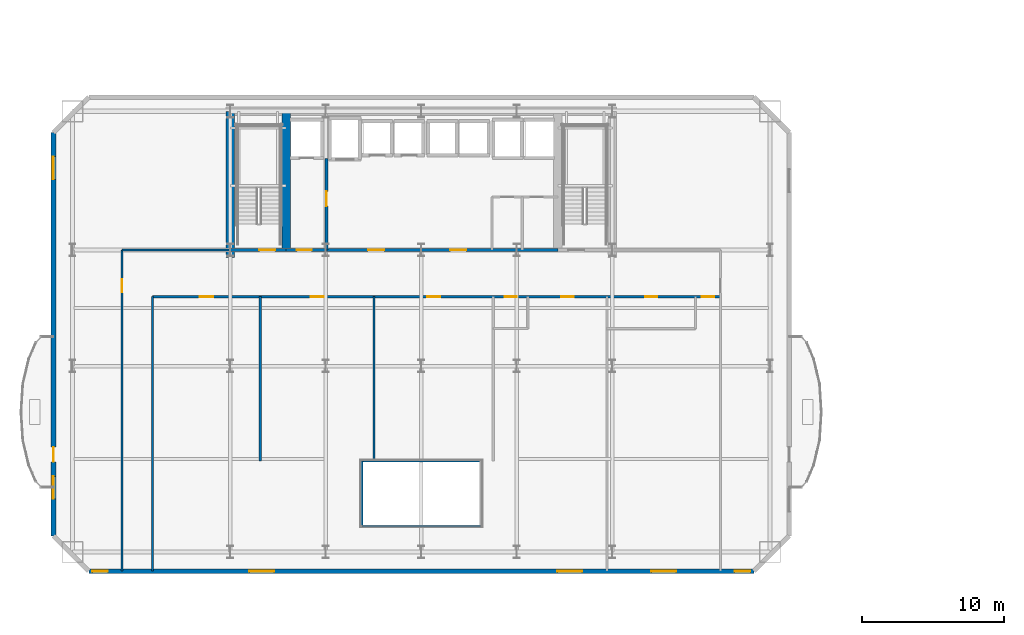
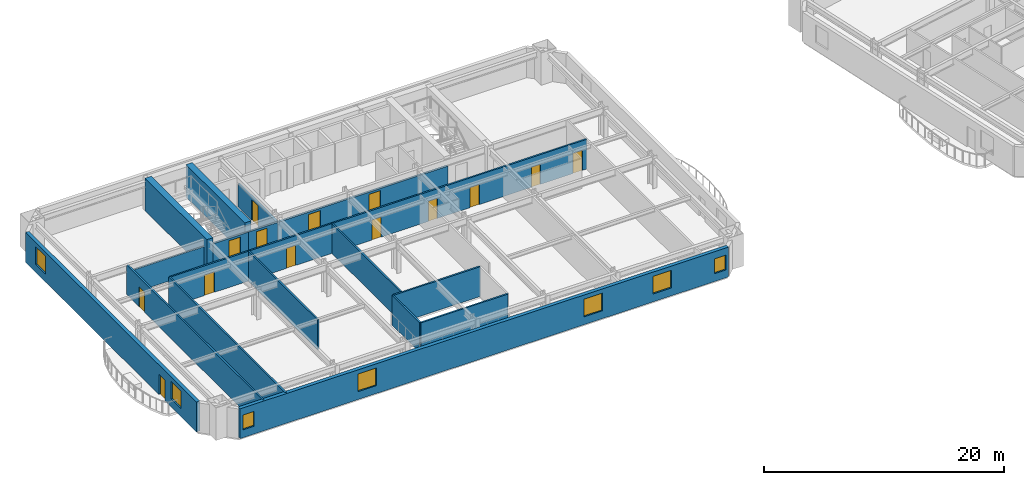
# One storey, part 5 of 16: 17 walls, 14 doors, 7 windows, 21 openings.
"""IFC4 building model written with IfcOpenShell, lengths in metres."""

import ifcopenshell
import ifcopenshell.guid

model = None  # the IFC model being written
_history = None  # IfcOwnerHistory: only IFC2X3 demands one
_inside = {}  # id of a spatial element -> (the spatial element, [elements in it])
_under = {}  # id of a project, library or spatial element -> (it, [spatial elements below it])
_declared = {}  # id of a project -> (the project, [libraries it declares])
_typed = {}  # id of a type object -> (the type object, [elements of that type])
_made_of = {}  # id of a material, layer set ... -> (it, [elements and type objects made of it])


def new_model(schema):
    """Start an empty IFC model of exactly this schema.

    Asked for "IFC4X3", IfcOpenShell would pick the latest addendum, in which some entities
    have other attributes; the version numbers below select the first issue.
    IFC2X3 requires an IfcOwnerHistory on every rooted entity: one is made here for all.
    """
    global model, _history
    if schema == "IFC4X3":
        model = ifcopenshell.file(schema_version=(4, 3, 0, 0))
    else:
        model = ifcopenshell.file(schema=schema)
    _inside.clear()
    _under.clear()
    _declared.clear()
    _typed.clear()
    _made_of.clear()
    _history = None
    if model.schema == "IFC2X3":
        org = make("IfcOrganization", Name="unknown")
        user = make(
            "IfcPersonAndOrganization",
            ThePerson=make("IfcPerson", FamilyName="unknown"),
            TheOrganization=org,
        )
        app = make(
            "IfcApplication",
            ApplicationDeveloper=org,
            Version="unknown",
            ApplicationFullName="unknown",
            ApplicationIdentifier="unknown",
        )
        _history = make(
            "IfcOwnerHistory",
            OwningUser=user,
            OwningApplication=app,
            ChangeAction="ADDED",
            CreationDate=0,
        )
    return model


def make(cls, **values):
    """One entity of the class cls with the attributes given. An attribute that is None is left unset."""
    return model.create_entity(
        cls, **{name: value for name, value in values.items() if value is not None}
    )


def rooted(cls, **values):
    """An entity with a GlobalId (a new one), such as an element, a storey or a relation."""
    return make(cls, GlobalId=ifcopenshell.guid.new(), OwnerHistory=_history, **values)


def si_unit(unit_type, name, prefix=None):
    """IfcSIUnit, for example si_unit("LENGTHUNIT", "METRE", prefix="MILLI")."""
    return make("IfcSIUnit", UnitType=unit_type, Prefix=prefix, Name=name)


def assignment(units):
    """IfcUnitAssignment: the units of a project."""
    return None if units is None else make("IfcUnitAssignment", Units=units)


def point(xyz):
    """IfcCartesianPoint."""
    return None if xyz is None else make("IfcCartesianPoint", Coordinates=xyz)


def direction(xyz):
    """IfcDirection."""
    return None if xyz is None else make("IfcDirection", DirectionRatios=xyz)


def frame(location, z_axis=None, x_axis=None):
    """IfcAxis2Placement3D, a coordinate frame: its origin and axes. An axis left out is left unset."""
    return make(
        "IfcAxis2Placement3D",
        Location=point(location),
        Axis=direction(z_axis),
        RefDirection=direction(x_axis),
    )


def frame_2d(location, x_axis=None):
    """IfcAxis2Placement2D, a coordinate frame in the plane: its origin and x axis."""
    return make(
        "IfcAxis2Placement2D", Location=point(location), RefDirection=direction(x_axis)
    )


def origin():
    """The frame at (0, 0, 0) with its axes left unset."""
    return frame((0.0, 0.0, 0.0))


def place(relative_to, where):
    """IfcLocalPlacement: puts the frame where relative to a parent placement (None: the world)."""
    return make(
        "IfcLocalPlacement", PlacementRelTo=relative_to, RelativePlacement=where
    )


def context(
    kind, dimensions, precision=None, world=None, true_north=None, identifier=None
):
    """IfcGeometricRepresentationContext, for example the 3D "Model" context."""
    return make(
        "IfcGeometricRepresentationContext",
        ContextIdentifier=identifier,
        ContextType=kind,
        CoordinateSpaceDimension=dimensions,
        Precision=precision,
        WorldCoordinateSystem=world,
        TrueNorth=true_north,
    )


def subcontext(parent, identifier, kind, view, scale=None):
    """IfcGeometricRepresentationSubContext, for example "Body" below "Model"."""
    return make(
        "IfcGeometricRepresentationSubContext",
        ContextIdentifier=identifier,
        ContextType=kind,
        ParentContext=parent,
        TargetScale=scale,
        TargetView=view,
    )


def project(units=None, contexts=None):
    """IfcProject with its units and contexts."""
    return rooted(
        "IfcProject",
        Name="project",
        RepresentationContexts=contexts,
        UnitsInContext=assignment(units),
    )


def spatial(cls, under=None, at=None, **own):
    """A site, building, storey or space (cls), placed at a placement, below another one or the project."""
    s = rooted(cls, ObjectPlacement=at, **own)
    if under is not None:
        _under.setdefault(under.id(), (under, []))[1].append(s)
    return s


def profile(cls, at=None, kind="AREA", **sizes):
    """A parametric profile (cls). Its sizes go by their IFC names, for example OverallWidth=200.0."""
    return make(cls, ProfileType=kind, Position=at, **sizes)


def rectangle(**sizes):
    """IfcRectangleProfileDef."""
    return profile("IfcRectangleProfileDef", **sizes)


def extrude(swept, where, along, depth):
    """IfcExtrudedAreaSolid: the profile swept, set in the frame where, extruded along a direction by depth."""
    return make(
        "IfcExtrudedAreaSolid",
        SweptArea=swept,
        Position=where,
        ExtrudedDirection=direction(along),
        Depth=depth,
    )


def shape(context_of_items, identifier, shape_type, items):
    """IfcShapeRepresentation: the items that make up one representation, for example the "Body"."""
    return make(
        "IfcShapeRepresentation",
        ContextOfItems=context_of_items,
        RepresentationIdentifier=identifier,
        RepresentationType=shape_type,
        Items=items,
    )


def material(Name=None, Category=None):
    """IfcMaterial."""
    return make("IfcMaterial", Name=Name, Category=Category)


def layer(
    of_material, thickness, ventilated=None, Name=None, Category=None, Priority=None
):
    """IfcMaterialLayer: one layer of a wall or slab, of a material (None: an air gap)."""
    return make(
        "IfcMaterialLayer",
        Material=of_material,
        LayerThickness=thickness,
        IsVentilated=ventilated,
        Name=Name,
        Category=Category,
        Priority=Priority,
    )


def layer_set(layers, Name=None):
    """IfcMaterialLayerSet."""
    return make("IfcMaterialLayerSet", MaterialLayers=layers, LayerSetName=Name)


def made_of(thing, what):
    """Note that an element or type object is made of a material, layer set ...; save() writes the relation."""
    if what is not None:
        _made_of.setdefault(what.id(), (what, []))[1].append(thing)
    return thing


def type_object(cls, material=None, **own):
    """A type object (cls), such as IfcWallType, which elements share."""
    return made_of(rooted(cls, **own), material)


def element(
    cls,
    number,
    at=None,
    inside=None,
    cuts=None,
    type_object=None,
    material=None,
    context=None,
    identifier="Body",
    shape_type=None,
    held_by="IfcProductDefinitionShape",
    body=None,
    shapes=None,
    **own,
):
    """One element of the class cls, such as IfcWall. Its Tag is "e" and its number.

    at: its placement. inside: the storey or other place that contains it. cuts: it is an
    opening in that element (IfcRelVoidsElement). A single representation is given by context,
    identifier, shape_type and body (its items); several are given by shapes. held_by: the class
    of the entity that holds the representations. save() writes the other relations.
    """
    e = rooted(cls, Tag="e%d" % number, ObjectPlacement=at, **own)
    if body is not None:
        shapes = [shape(context, identifier, shape_type, body)]
    if shapes is not None:
        e.Representation = make(held_by, Representations=shapes)
    if inside is not None:
        _inside.setdefault(inside.id(), (inside, []))[1].append(e)
    if cuts is not None:
        rooted(
            "IfcRelVoidsElement", RelatingBuildingElement=cuts, RelatedOpeningElement=e
        )
    if type_object is not None:
        _typed.setdefault(type_object.id(), (type_object, []))[1].append(e)
    return made_of(e, material)


def fill(opening, filler):
    """IfcRelFillsElement: the door or window that sits in an opening."""
    return rooted(
        "IfcRelFillsElement",
        RelatingOpeningElement=opening,
        RelatedBuildingElement=filler,
    )


def aggregate(whole, parts):
    """IfcRelAggregates: a whole, such as a stair, and the parts it consists of."""
    return rooted("IfcRelAggregates", RelatingObject=whole, RelatedObjects=parts)


def save(model, path):
    """Write the relations noted so far, then the file.

    IfcRelAggregates (storeys below a building ...), IfcRelContainedInSpatialStructure (elements
    in a storey), IfcRelDefinesByType, IfcRelAssociatesMaterial and IfcRelDeclares: one each for
    every whole, place, type object, material and project.
    """
    for whole, parts in _under.values():
        aggregate(whole, parts)
    for where, things in _inside.values():
        rooted(
            "IfcRelContainedInSpatialStructure",
            RelatedElements=things,
            RelatingStructure=where,
        )
    for kind, things in _typed.values():
        rooted("IfcRelDefinesByType", RelatedObjects=things, RelatingType=kind)
    for what, things in _made_of.values():
        rooted("IfcRelAssociatesMaterial", RelatedObjects=things, RelatingMaterial=what)
    for by, libraries in _declared.values():
        rooted("IfcRelDeclares", RelatingContext=by, RelatedDefinitions=libraries)
    model.write(path)


model = new_model("IFC4")

# Units and contexts
model_context = context("Model", 3, precision=1e-05, world=origin(), true_north=direction((0.0, 1.0)))
body_context = subcontext(model_context, "Body", "Model", "MODEL_VIEW")
ifc_project = project(units=[si_unit("LENGTHUNIT", "METRE"), si_unit("AREAUNIT", "SQUARE_METRE"), si_unit("VOLUMEUNIT", "CUBIC_METRE"), si_unit("PLANEANGLEUNIT", "RADIAN"), si_unit("MASSUNIT", "GRAM", prefix="KILO")], contexts=[model_context])

# Site, building, storey
site_placement = place(None, origin())
site = spatial("IfcSite", under=ifc_project, at=site_placement, CompositionType="ELEMENT")
building_placement = place(site_placement, origin())
building = spatial("IfcBuilding", under=site, at=building_placement, Name="Haevon Station Towers", CompositionType="ELEMENT")
storey_placement = place(building_placement, frame((0.0, 0.0, 57.0)))
storey = spatial("IfcBuildingStorey", under=building, at=storey_placement, Name="L14", CompositionType="ELEMENT", Elevation=57.0)

# Wall, opening, door
ifc_material_1 = material(Name="Gypsum board on steel stud", Category="steel")
ifc_layer_1 = layer(ifc_material_1, 0.199951171875)
ifc_layer_set_1 = layer_set([ifc_layer_1], Name="Gypsum board on steel stud")
wall_type_1 = type_object("IfcWallType", Name="WL-COR200", PredefinedType="PARTITIONING", material=ifc_layer_set_1)
wall_1_placement = place(storey_placement, frame((24.0, 38.199951171875, 0.0), z_axis=(0.0, 0.0, 1.0), x_axis=(1.0, 0.0, 0.0)))
wall_1 = element("IfcWall", 1, at=wall_1_placement, inside=storey, type_object=wall_type_1, Name="WL-ST-ST1-L14", PredefinedType="PARTITIONING", context=body_context, shape_type="SweptSolid", body=[
    extrude(rectangle(XDim=3.949951171875, YDim=0.199951171875, at=frame_2d((1.97509765625, 0.0))), origin(), (0.0, 0.0, 1.0), 2.330078125),
])
opening_1_placement = place(wall_1_placement, frame((2.050048828125, 0.0, 0.0)))
opening_1 = element("IfcOpeningElement", 2, at=opening_1_placement, cuts=wall_1, Name="Opening DR-ST-ST1-L14", PredefinedType="OPENING", context=body_context, shape_type="SweptSolid", body=[
    extrude(rectangle(XDim=1.1201171875, YDim=2.10009765625, at=frame_2d((0.56005859375, 1.050048828125))), frame((0.0, 0.10986328125, 0.0), z_axis=(0.0, -1.0, 0.0), x_axis=(1.0, 0.0, 0.0)), (0.0, 0.0, 1.0), 0.219970703125),
])
ifc_material_2 = material(Name="Engineered oak timber", Category="wood")
door_type_1 = type_object("IfcDoorType", Name="DR-ST-1120", OperationType="NOTDEFINED", PredefinedType="DOOR", material=ifc_material_2)
door_1_placement = place(opening_1_placement, origin())
door_1 = element("IfcDoor", 3, at=door_1_placement, inside=storey, type_object=door_type_1, Name="L14 Escape Stair ST1 Fire Door", OperationType="SINGLE_SWING_LEFT", OverallHeight=2.10009765625, OverallWidth=1.1201171875, PredefinedType="DOOR", context=body_context, shape_type="SweptSolid", body=[
    extrude(rectangle(XDim=1.1201171875, YDim=2.10009765625, at=frame_2d((0.56005859375, 1.050048828125))), frame((0.0, 0.02490234375, 0.0), z_axis=(0.0, -1.0, 0.0), x_axis=(1.0, 0.0, 0.0)), (0.0, 0.0, 1.0), 0.050048828125),
])
fill(opening_1, door_1)

wall_2_placement = place(storey_placement, frame((30.800048828125, 38.199951171875, 0.0), z_axis=(0.0, 0.0, 1.0), x_axis=(0.0, 1.0, 0.0)))
wall_2 = element("IfcWall", 4, at=wall_2_placement, inside=storey, type_object=wall_type_1, Name="WL-T1FFL-L14-E", PredefinedType="PARTITIONING", context=body_context, shape_type="SweptSolid", body=[
    extrude(rectangle(XDim=6.449951171875, YDim=0.199951171875, at=frame_2d((3.22509765625, 0.0))), origin(), (0.0, 0.0, 1.0), 2.330078125),
])
opening_2_placement = place(wall_2_placement, frame((3.10009765625, 0.0, 0.0)))
opening_2 = element("IfcOpeningElement", 5, at=opening_2_placement, cuts=wall_2, Name="Opening DR-T1FFL-L14-E", PredefinedType="OPENING", context=body_context, shape_type="SweptSolid", body=[
    extrude(rectangle(XDim=1.050048828125, YDim=2.10009765625, at=frame_2d((0.52490234375, 1.050048828125))), frame((0.0, 0.10986328125, 0.0), z_axis=(0.0, -1.0, 0.0), x_axis=(1.0, 0.0, 0.0)), (0.0, 0.0, 1.0), 0.219970703125),
])
door_type_2 = type_object("IfcDoorType", Name="DR-FD60-1050", OperationType="NOTDEFINED", PredefinedType="DOOR", material=ifc_material_2)
door_2_placement = place(opening_2_placement, origin())
door_2 = element("IfcDoor", 6, at=door_2_placement, inside=storey, type_object=door_type_2, Name="L14 Tower 1 Firefighting Lift Lobby Door E", OperationType="SINGLE_SWING_LEFT", OverallHeight=2.10009765625, OverallWidth=1.050048828125, PredefinedType="DOOR", context=body_context, shape_type="SweptSolid", body=[
    extrude(rectangle(XDim=1.050048828125, YDim=2.10009765625, at=frame_2d((0.52490234375, 1.050048828125))), frame((0.0, 0.02490234375, 0.0), z_axis=(0.0, -1.0, 0.0), x_axis=(1.0, 0.0, 0.0)), (0.0, 0.0, 1.0), 0.050048828125),
])
fill(opening_2, door_2)

wall_3_placement = place(storey_placement, frame((27.949951171875, 38.199951171875, 0.0), z_axis=(0.0, 0.0, 1.0), x_axis=(1.0, 0.0, 0.0)))
wall_3 = element("IfcWall", 7, at=wall_3_placement, inside=storey, type_object=wall_type_1, Name="WL-T1FFL-L14-S", PredefinedType="PARTITIONING", context=body_context, shape_type="SweptSolid", body=[
    extrude(rectangle(XDim=2.85009765625, YDim=0.199951171875, at=frame_2d((1.425048828125, 0.0))), origin(), (0.0, 0.0, 1.0), 2.330078125),
])
opening_3_placement = place(wall_3_placement, frame((0.75, 0.0, 0.0)))
opening_3 = element("IfcOpeningElement", 8, at=opening_3_placement, cuts=wall_3, Name="Opening DR-T1FFL-L14-S", PredefinedType="OPENING", context=body_context, shape_type="SweptSolid", body=[
    extrude(rectangle(XDim=1.050048828125, YDim=2.10009765625, at=frame_2d((0.52490234375, 1.050048828125))), frame((0.0, 0.10986328125, 0.0), z_axis=(0.0, -1.0, 0.0), x_axis=(1.0, 0.0, 0.0)), (0.0, 0.0, 1.0), 0.219970703125),
])
door_3_placement = place(opening_3_placement, origin())
door_3 = element("IfcDoor", 9, at=door_3_placement, inside=storey, type_object=door_type_2, Name="L14 Tower 1 Firefighting Lift Lobby Door S", OperationType="SINGLE_SWING_RIGHT", OverallHeight=2.10009765625, OverallWidth=1.050048828125, PredefinedType="DOOR", context=body_context, shape_type="SweptSolid", body=[
    extrude(rectangle(XDim=1.050048828125, YDim=2.10009765625, at=frame_2d((0.52490234375, 1.050048828125))), frame((0.0, 0.02490234375, 0.0), z_axis=(0.0, -1.0, 0.0), x_axis=(1.0, 0.0, 0.0)), (0.0, 0.0, 1.0), 0.050048828125),
])
fill(opening_3, door_3)

# Wall, openings, doors
wall_4_placement = place(storey_placement, frame((30.800048828125, 38.199951171875, 0.0), z_axis=(0.0, 0.0, 1.0), x_axis=(1.0, 0.0, 0.0)))
wall_4 = element("IfcWall", 10, at=wall_4_placement, inside=storey, type_object=wall_type_1, Name="WL-T1CLB-L14", PredefinedType="PARTITIONING", context=body_context, shape_type="SweptSolid", body=[
    extrude(rectangle(XDim=16.349853515625, YDim=0.199951171875, at=frame_2d((8.1748046875, 0.0))), origin(), (0.0, 0.0, 1.0), 2.330078125),
])
opening_4_placement = place(wall_4_placement, frame((2.949951171875, 0.0, 0.0)))
opening_4 = element("IfcOpeningElement", 11, at=opening_4_placement, cuts=wall_4, Name="Opening DR-T1CLB-L14-1", PredefinedType="OPENING", context=body_context, shape_type="SweptSolid", body=[
    extrude(rectangle(XDim=1.1201171875, YDim=2.10009765625, at=frame_2d((0.56005859375, 1.050048828125))), frame((0.0, 0.10986328125, 0.0), z_axis=(0.0, -1.0, 0.0), x_axis=(1.0, 0.0, 0.0)), (0.0, 0.0, 1.0), 0.219970703125),
])
opening_5_placement = place(wall_4_placement, frame((8.75, 0.0, 0.0)))
opening_5 = element("IfcOpeningElement", 12, at=opening_5_placement, cuts=wall_4, Name="Opening DR-T1CLB-L14-2", PredefinedType="OPENING", context=body_context, shape_type="SweptSolid", body=[
    extrude(rectangle(XDim=1.1201171875, YDim=2.10009765625, at=frame_2d((0.56005859375, 1.050048828125))), frame((0.0, 0.10986328125, 0.0), z_axis=(0.0, -1.0, 0.0), x_axis=(1.0, 0.0, 0.0)), (0.0, 0.0, 1.0), 0.219970703125),
])
door_4_placement = place(opening_4_placement, origin())
door_4 = element("IfcDoor", 13, at=door_4_placement, inside=storey, type_object=door_type_1, Name="L14 Tower 1 Core Lift Lobby Door 1", OperationType="SINGLE_SWING_LEFT", OverallHeight=2.10009765625, OverallWidth=1.1201171875, PredefinedType="DOOR", context=body_context, shape_type="SweptSolid", body=[
    extrude(rectangle(XDim=1.1201171875, YDim=2.10009765625, at=frame_2d((0.56005859375, 1.050048828125))), frame((0.0, 0.02490234375, 0.0), z_axis=(0.0, -1.0, 0.0), x_axis=(1.0, 0.0, 0.0)), (0.0, 0.0, 1.0), 0.050048828125),
])
fill(opening_4, door_4)
door_5_placement = place(opening_5_placement, origin())
door_5 = element("IfcDoor", 14, at=door_5_placement, inside=storey, type_object=door_type_1, Name="L14 Tower 1 Core Lift Lobby Door 2", OperationType="SINGLE_SWING_RIGHT", OverallHeight=2.10009765625, OverallWidth=1.1201171875, PredefinedType="DOOR", context=body_context, shape_type="SweptSolid", body=[
    extrude(rectangle(XDim=1.1201171875, YDim=2.10009765625, at=frame_2d((0.56005859375, 1.050048828125))), frame((0.0, 0.02490234375, 0.0), z_axis=(0.0, -1.0, 0.0), x_axis=(1.0, 0.0, 0.0)), (0.0, 0.0, 1.0), 0.050048828125),
])
fill(opening_5, door_5)

# Walls
ifc_material_3 = material(Name="Concrete C60/75", Category="concrete")
ifc_layer_2 = layer(ifc_material_3, 0.60009765625)
ifc_layer_set_2 = layer_set([ifc_layer_2], Name="Concrete C60/75")
wall_type_2 = type_object("IfcWallType", Name="WL-CR600", PredefinedType="SHEAR", material=ifc_layer_set_2)
wall_5_placement = place(storey_placement, frame((24.0, 37.679931640625, 0.0), z_axis=(0.0, 0.0, 1.0), x_axis=(0.0, 1.0, 0.0)))
element("IfcWall", 15, at=wall_5_placement, inside=storey, type_object=wall_type_2, Name="WL-T1CR-L14-W", PredefinedType="SHEAR", context=body_context, shape_type="SweptSolid", body=[
    extrude(rectangle(XDim=10.320068359375, YDim=0.60009765625, at=frame_2d((5.16015625, 0.0))), origin(), (0.0, 0.0, 1.0), 3.300048828125),
])
wall_6_placement = place(storey_placement, frame((27.949951171875, 38.199951171875, 0.0), z_axis=(0.0, 0.0, 1.0), x_axis=(0.0, 1.0, 0.0)))
element("IfcWall", 16, at=wall_6_placement, inside=storey, type_object=wall_type_2, Name="WL-T1CR-L14-M1", PredefinedType="SHEAR", context=body_context, shape_type="SweptSolid", body=[
    extrude(rectangle(XDim=9.800048828125, YDim=0.60009765625, at=frame_2d((4.89990234375, 0.0))), origin(), (0.0, 0.0, 1.0), 3.300048828125),
])

# Wall, openings, windows
ifc_material_4 = material(Name="Precast concrete C45/55", Category="concrete")
ifc_layer_3 = layer(ifc_material_4, 0.340087890625)
ifc_layer_set_3 = layer_set([ifc_layer_3], Name="Precast concrete C45/55")
wall_type_3 = type_object("IfcWallType", Name="WL-EXT-PIER340", PredefinedType="SOLIDWALL", material=ifc_layer_set_3)
wall_7_placement = place(storey_placement, frame((61.0, 15.5, 0.0), z_axis=(0.0, 0.0, 1.0), x_axis=(-1.0, 0.0, 0.0)))
wall_7 = element("IfcWall", 17, at=wall_7_placement, inside=storey, type_object=wall_type_3, Name="WL-T1-L14-S", PredefinedType="SOLIDWALL", context=body_context, shape_type="SweptSolid", body=[
    extrude(rectangle(XDim=47.0, YDim=0.340087890625, at=frame_2d((23.5, 0.0))), origin(), (0.0, 0.0, 1.0), 3.030029296875),
])
opening_6_placement = place(wall_7_placement, frame((45.64990234375, 0.0, 0.800048828125)))
opening_6 = element("IfcOpeningElement", 18, at=opening_6_placement, cuts=wall_7, Name="Opening WN-COR110", PredefinedType="OPENING", context=body_context, shape_type="SweptSolid", body=[
    extrude(rectangle(XDim=1.10009765625, YDim=1.5, at=frame_2d((0.550048828125, 0.75))), frame((0.0, 0.179931640625, 0.0), z_axis=(0.0, -1.0, 0.0), x_axis=(1.0, 0.0, 0.0)), (0.0, 0.0, 1.0), 0.360107421875),
])
opening_7_placement = place(wall_7_placement, frame((0.25, 0.0, 0.800048828125)))
opening_7 = element("IfcOpeningElement", 19, at=opening_7_placement, cuts=wall_7, Name="Opening WN-COR110", PredefinedType="OPENING", context=body_context, shape_type="SweptSolid", body=[
    extrude(rectangle(XDim=1.10009765625, YDim=1.5, at=frame_2d((0.550048828125, 0.75))), frame((0.0, 0.179931640625, 0.0), z_axis=(0.0, -1.0, 0.0), x_axis=(1.0, 0.0, 0.0)), (0.0, 0.0, 1.0), 0.360107421875),
])
opening_8_placement = place(wall_7_placement, frame((33.89599609375, 0.0, 0.800048828125)))
opening_8 = element("IfcOpeningElement", 20, at=opening_8_placement, cuts=wall_7, Name="Opening WN-P175", PredefinedType="OPENING", context=body_context, shape_type="SweptSolid", body=[
    extrude(rectangle(XDim=1.75, YDim=1.800048828125, at=frame_2d((0.875, 0.89990234375))), frame((0.0, 0.179931640625, 0.0), z_axis=(0.0, -1.0, 0.0), x_axis=(1.0, 0.0, 0.0)), (0.0, 0.0, 1.0), 0.360107421875),
])
opening_9_placement = place(wall_7_placement, frame((12.139892578125, 0.0, 0.800048828125)))
opening_9 = element("IfcOpeningElement", 21, at=opening_9_placement, cuts=wall_7, Name="Opening WN-P175", PredefinedType="OPENING", context=body_context, shape_type="SweptSolid", body=[
    extrude(rectangle(XDim=1.75, YDim=1.800048828125, at=frame_2d((0.875, 0.89990234375))), frame((0.0, 0.179931640625, 0.0), z_axis=(0.0, -1.0, 0.0), x_axis=(1.0, 0.0, 0.0)), (0.0, 0.0, 1.0), 0.360107421875),
])
opening_10_placement = place(wall_7_placement, frame((5.489990234375, 0.0, 0.800048828125)))
opening_10 = element("IfcOpeningElement", 22, at=opening_10_placement, cuts=wall_7, Name="Opening WN-P175", PredefinedType="OPENING", context=body_context, shape_type="SweptSolid", body=[
    extrude(rectangle(XDim=1.75, YDim=1.800048828125, at=frame_2d((0.875, 0.89990234375))), frame((0.0, 0.179931640625, 0.0), z_axis=(0.0, -1.0, 0.0), x_axis=(1.0, 0.0, 0.0)), (0.0, 0.0, 1.0), 0.360107421875),
])
ifc_material_5 = material(Name="Low-E triple glazing in thermally broken aluminium", Category="aluminium")
window_type_1 = type_object("IfcWindowType", Name="WN-COR110", PartitioningType="SINGLE_PANEL", PredefinedType="WINDOW", material=ifc_material_5)
window_1_placement = place(opening_6_placement, origin())
window_1 = element("IfcWindow", 23, at=window_1_placement, inside=storey, type_object=window_type_1, Name="WN-T1-L14-S01", OverallHeight=1.5, OverallWidth=1.10009765625, PartitioningType="SINGLE_PANEL", PredefinedType="WINDOW", context=body_context, shape_type="SweptSolid", body=[
    extrude(rectangle(XDim=1.10009765625, YDim=1.5, at=frame_2d((0.550048828125, 0.75))), frame((0.0, 0.030029296875, 0.0), z_axis=(0.0, -1.0, 0.0), x_axis=(1.0, 0.0, 0.0)), (0.0, 0.0, 1.0), 0.06005859375),
])
fill(opening_6, window_1)
window_2_placement = place(opening_7_placement, origin())
window_2 = element("IfcWindow", 24, at=window_2_placement, inside=storey, type_object=window_type_1, Name="WN-T1-L14-S02", OverallHeight=1.5, OverallWidth=1.10009765625, PartitioningType="SINGLE_PANEL", PredefinedType="WINDOW", context=body_context, shape_type="SweptSolid", body=[
    extrude(rectangle(XDim=1.10009765625, YDim=1.5, at=frame_2d((0.550048828125, 0.75))), frame((0.0, 0.030029296875, 0.0), z_axis=(0.0, -1.0, 0.0), x_axis=(1.0, 0.0, 0.0)), (0.0, 0.0, 1.0), 0.06005859375),
])
fill(opening_7, window_2)
window_type_2 = type_object("IfcWindowType", Name="WN-P175", PartitioningType="SINGLE_PANEL", PredefinedType="WINDOW", material=ifc_material_5)
window_3_placement = place(opening_8_placement, origin())
window_3 = element("IfcWindow", 25, at=window_3_placement, inside=storey, type_object=window_type_2, Name="WN-T1-L14-S03", OverallHeight=1.800048828125, OverallWidth=1.75, PartitioningType="SINGLE_PANEL", PredefinedType="WINDOW", context=body_context, shape_type="SweptSolid", body=[
    extrude(rectangle(XDim=1.75, YDim=1.800048828125, at=frame_2d((0.875, 0.89990234375))), frame((0.0, 0.030029296875, 0.0), z_axis=(0.0, -1.0, 0.0), x_axis=(1.0, 0.0, 0.0)), (0.0, 0.0, 1.0), 0.06005859375),
])
fill(opening_8, window_3)
window_4_placement = place(opening_9_placement, origin())
window_4 = element("IfcWindow", 26, at=window_4_placement, inside=storey, type_object=window_type_2, Name="WN-T1-L14-S04", OverallHeight=1.800048828125, OverallWidth=1.75, PartitioningType="SINGLE_PANEL", PredefinedType="WINDOW", context=body_context, shape_type="SweptSolid", body=[
    extrude(rectangle(XDim=1.75, YDim=1.800048828125, at=frame_2d((0.875, 0.89990234375))), frame((0.0, 0.030029296875, 0.0), z_axis=(0.0, -1.0, 0.0), x_axis=(1.0, 0.0, 0.0)), (0.0, 0.0, 1.0), 0.06005859375),
])
fill(opening_9, window_4)
window_5_placement = place(opening_10_placement, origin())
window_5 = element("IfcWindow", 27, at=window_5_placement, inside=storey, type_object=window_type_2, Name="WN-T1-L14-S05", OverallHeight=1.800048828125, OverallWidth=1.75, PartitioningType="SINGLE_PANEL", PredefinedType="WINDOW", context=body_context, shape_type="SweptSolid", body=[
    extrude(rectangle(XDim=1.75, YDim=1.800048828125, at=frame_2d((0.875, 0.89990234375))), frame((0.0, 0.030029296875, 0.0), z_axis=(0.0, -1.0, 0.0), x_axis=(1.0, 0.0, 0.0)), (0.0, 0.0, 1.0), 0.06005859375),
])
fill(opening_10, window_5)

# Wall, openings, door, windows
wall_8_placement = place(storey_placement, frame((11.5, 18.0, 0.0), z_axis=(0.0, 0.0, 1.0), x_axis=(0.0, 1.0, 0.0)))
wall_8 = element("IfcWall", 28, at=wall_8_placement, inside=storey, type_object=wall_type_3, Name="WL-T1-L14-W", PredefinedType="SOLIDWALL", context=body_context, shape_type="SweptSolid", body=[
    extrude(rectangle(XDim=28.5, YDim=0.340087890625, at=frame_2d((14.25, 0.0))), origin(), (0.0, 0.0, 1.0), 3.030029296875),
])
opening_11_placement = place(wall_8_placement, frame((5.22509765625, 0.0, 0.0)))
opening_11 = element("IfcOpeningElement", 29, at=opening_11_placement, cuts=wall_8, Name="Opening DR-T1-SCAL-L14-W", PredefinedType="OPENING", context=body_context, shape_type="SweptSolid", body=[
    extrude(rectangle(XDim=1.050048828125, YDim=2.10009765625, at=frame_2d((0.52490234375, 1.050048828125))), frame((0.0, 0.179931640625, 0.0), z_axis=(0.0, -1.0, 0.0), x_axis=(1.0, 0.0, 0.0)), (0.0, 0.0, 1.0), 0.360107421875),
])
opening_12_placement = place(wall_8_placement, frame((2.607177734375, 0.0, 0.800048828125)))
opening_12 = element("IfcOpeningElement", 30, at=opening_12_placement, cuts=wall_8, Name="Opening WN-END160", PredefinedType="OPENING", context=body_context, shape_type="SweptSolid", body=[
    extrude(rectangle(XDim=1.60009765625, YDim=1.800048828125, at=frame_2d((0.800048828125, 0.89990234375))), frame((0.0, 0.179931640625, 0.0), z_axis=(0.0, -1.0, 0.0), x_axis=(1.0, 0.0, 0.0)), (0.0, 0.0, 1.0), 0.360107421875),
])
opening_13_placement = place(wall_8_placement, frame((25.1962890625, 0.0, 0.800048828125)))
opening_13 = element("IfcOpeningElement", 31, at=opening_13_placement, cuts=wall_8, Name="Opening WN-END160", PredefinedType="OPENING", context=body_context, shape_type="SweptSolid", body=[
    extrude(rectangle(XDim=1.60009765625, YDim=1.800048828125, at=frame_2d((0.800048828125, 0.89990234375))), frame((0.0, 0.179931640625, 0.0), z_axis=(0.0, -1.0, 0.0), x_axis=(1.0, 0.0, 0.0)), (0.0, 0.0, 1.0), 0.360107421875),
])
ifc_material_6 = material(Name="Thermally broken anodised aluminium and laminated safety glass", Category="aluminium")
door_type_3 = type_object("IfcDoorType", Name="DR-BALC-1050", OperationType="NOTDEFINED", PredefinedType="DOOR", material=ifc_material_6)
door_6_placement = place(opening_11_placement, origin())
door_6 = element("IfcDoor", 32, at=door_6_placement, inside=storey, type_object=door_type_3, Name="Tower 1 L14 West Scalloped Balcony Door", OperationType="SINGLE_SWING_RIGHT", OverallHeight=2.10009765625, OverallWidth=1.050048828125, PredefinedType="DOOR", context=body_context, shape_type="SweptSolid", body=[
    extrude(rectangle(XDim=1.050048828125, YDim=2.10009765625, at=frame_2d((0.52490234375, 1.050048828125))), frame((0.0, 0.02490234375, 0.0), z_axis=(0.0, -1.0, 0.0), x_axis=(1.0, 0.0, 0.0)), (0.0, 0.0, 1.0), 0.050048828125),
])
fill(opening_11, door_6)
window_type_3 = type_object("IfcWindowType", Name="WN-END160", PartitioningType="SINGLE_PANEL", PredefinedType="WINDOW", material=ifc_material_5)
window_6_placement = place(opening_12_placement, origin())
window_6 = element("IfcWindow", 33, at=window_6_placement, inside=storey, type_object=window_type_3, Name="WN-T1-L14-W01", OverallHeight=1.800048828125, OverallWidth=1.60009765625, PartitioningType="SINGLE_PANEL", PredefinedType="WINDOW", context=body_context, shape_type="SweptSolid", body=[
    extrude(rectangle(XDim=1.60009765625, YDim=1.800048828125, at=frame_2d((0.800048828125, 0.89990234375))), frame((0.0, 0.030029296875, 0.0), z_axis=(0.0, -1.0, 0.0), x_axis=(1.0, 0.0, 0.0)), (0.0, 0.0, 1.0), 0.06005859375),
])
fill(opening_12, window_6)
window_7_placement = place(opening_13_placement, origin())
window_7 = element("IfcWindow", 34, at=window_7_placement, inside=storey, type_object=window_type_3, Name="WN-T1-L14-W02", OverallHeight=1.800048828125, OverallWidth=1.60009765625, PartitioningType="SINGLE_PANEL", PredefinedType="WINDOW", context=body_context, shape_type="SweptSolid", body=[
    extrude(rectangle(XDim=1.60009765625, YDim=1.800048828125, at=frame_2d((0.800048828125, 0.89990234375))), frame((0.0, 0.030029296875, 0.0), z_axis=(0.0, -1.0, 0.0), x_axis=(1.0, 0.0, 0.0)), (0.0, 0.0, 1.0), 0.06005859375),
])
fill(opening_13, window_7)

# Walls
ifc_layer_4 = layer(ifc_material_1, 0.159912109375)
ifc_layer_set_4 = layer_set([ifc_layer_4], Name="Gypsum board on steel stud")
wall_type_4 = type_object("IfcWallType", Name="WL-PRT160", PredefinedType="PARTITIONING", material=ifc_layer_set_4)
wall_9_placement = place(storey_placement, frame((18.5, 15.5, 0.0), z_axis=(0.0, 0.0, 1.0), x_axis=(0.0, 1.0, 0.0)))
element("IfcWall", 35, at=wall_9_placement, inside=storey, type_object=wall_type_4, Name="WL-T1PT-L14-01", PredefinedType="PARTITIONING", context=body_context, shape_type="SweptSolid", body=[
    extrude(rectangle(XDim=19.39990234375, YDim=0.159912109375, at=frame_2d((9.699951171875, 0.0))), origin(), (0.0, 0.0, 1.0), 3.030029296875),
])
wall_10_placement = place(storey_placement, frame((16.35009765625, 38.199951171875, 0.0), z_axis=(0.0, 0.0, 1.0), x_axis=(1.0, 0.0, 0.0)))
element("IfcWall", 36, at=wall_10_placement, inside=storey, type_object=wall_type_4, Name="WL-T1PT-L14-02", PredefinedType="PARTITIONING", context=body_context, shape_type="SweptSolid", body=[
    extrude(rectangle(XDim=7.64990234375, YDim=0.159912109375, at=frame_2d((3.824951171875, 0.0))), origin(), (0.0, 0.0, 1.0), 2.330078125),
])

# Wall, opening, door
wall_11_placement = place(storey_placement, frame((16.35009765625, 15.5, 0.0), z_axis=(0.0, 0.0, 1.0), x_axis=(0.0, 1.0, 0.0)))
wall_11 = element("IfcWall", 37, at=wall_11_placement, inside=storey, type_object=wall_type_4, Name="WL-T1PT-L14-04", PredefinedType="PARTITIONING", context=body_context, shape_type="SweptSolid", body=[
    extrude(rectangle(XDim=22.699951171875, YDim=0.159912109375, at=frame_2d((11.35009765625, 0.0))), origin(), (0.0, 0.0, 1.0), 3.030029296875),
])
opening_14_placement = place(wall_11_placement, frame((19.719970703125, 0.0, 0.0)))
opening_14 = element("IfcOpeningElement", 38, at=opening_14_placement, cuts=wall_11, Name="Opening DR-WL-T1PT-L14-04-01", PredefinedType="OPENING", context=body_context, shape_type="SweptSolid", body=[
    extrude(rectangle(XDim=0.89990234375, YDim=2.050048828125, at=frame_2d((0.449951171875, 1.02490234375))), frame((0.0, 0.08984375, 0.0), z_axis=(0.0, -1.0, 0.0), x_axis=(1.0, 0.0, 0.0)), (0.0, 0.0, 1.0), 0.179931640625),
])
door_type_4 = type_object("IfcDoorType", Name="DR-INT-900", OperationType="NOTDEFINED", PredefinedType="DOOR", material=ifc_material_2)
door_7_placement = place(opening_14_placement, origin())
door_7 = element("IfcDoor", 39, at=door_7_placement, inside=storey, type_object=door_type_4, Name="L14 Tower 1 Room Door 4-1", OperationType="SINGLE_SWING_RIGHT", OverallHeight=2.050048828125, OverallWidth=0.89990234375, PredefinedType="DOOR", context=body_context, shape_type="SweptSolid", body=[
    extrude(rectangle(XDim=0.89990234375, YDim=2.050048828125, at=frame_2d((0.449951171875, 1.02490234375))), frame((0.0, 0.02490234375, 0.0), z_axis=(0.0, -1.0, 0.0), x_axis=(1.0, 0.0, 0.0)), (0.0, 0.0, 1.0), 0.050048828125),
])
fill(opening_14, door_7)

# Walls
for number, where, z_axis, x_axis, name in (
    (40, (33.300048828125, 18.699951171875, 0.0), (0.0, 0.0, 1.0), (1.0, 0.0, 0.0), "WL-T1PT-L14-06"),
    (41, (33.300048828125, 23.300048828125, 0.0), (0.0, 0.0, 1.0), (1.0, 0.0, 0.0), "WL-T1PT-L14-07"),
):
    element("IfcWall", number, at=place(storey_placement, frame(where, z_axis=z_axis, x_axis=x_axis)), inside=storey, type_object=wall_type_4, Name=name, PredefinedType="PARTITIONING", context=body_context, shape_type="SweptSolid", body=[
        extrude(rectangle(XDim=8.39990234375, YDim=0.159912109375, at=frame_2d((4.199951171875, 0.0))), origin(), (0.0, 0.0, 1.0), 3.030029296875),
    ])
wall_12_placement = place(storey_placement, frame((33.300048828125, 18.699951171875, 0.0), z_axis=(0.0, 0.0, 1.0), x_axis=(0.0, 1.0, 0.0)))
element("IfcWall", 42, at=wall_12_placement, inside=storey, type_object=wall_type_4, Name="WL-T1PT-L14-08", PredefinedType="PARTITIONING", context=body_context, shape_type="SweptSolid", body=[
    extrude(rectangle(XDim=4.60009765625, YDim=0.159912109375, at=frame_2d((2.300048828125, 0.0))), origin(), (0.0, 0.0, 1.0), 3.030029296875),
])
for number, where, z_axis, x_axis, name in (
    (43, (26.12841796875, 23.300048828125, 0.0), (0.0, 0.0, 1.0), (0.0, 1.0, 0.0), "WL-T1PT-L14-10"),
    (44, (34.158447265625, 23.300048828125, 0.0), (0.0, 0.0, 1.0), (0.0, 1.0, 0.0), "WL-T1PT-L14-11"),
):
    element("IfcWall", number, at=place(storey_placement, frame(where, z_axis=z_axis, x_axis=x_axis)), inside=storey, type_object=wall_type_4, Name=name, PredefinedType="PARTITIONING", context=body_context, shape_type="SweptSolid", body=[
        extrude(rectangle(XDim=11.599853515625, YDim=0.159912109375, at=frame_2d((5.7998046875, 0.0))), origin(), (0.0, 0.0, 1.0), 3.030029296875),
    ])

# Wall, openings, doors
wall_13_placement = place(storey_placement, frame((18.5, 34.89990234375, 0.0), z_axis=(0.0, 0.0, 1.0), x_axis=(1.0, 0.0, 0.0)))
wall_13 = element("IfcWall", 45, at=wall_13_placement, inside=storey, type_object=wall_type_4, Name="WL-T1PT-L14-20", PredefinedType="PARTITIONING", context=body_context, shape_type="SweptSolid", body=[
    extrude(rectangle(XDim=40.14990234375, YDim=0.159912109375, at=frame_2d((20.074951171875, 0.0))), origin(), (0.0, 0.0, 1.0), 3.030029296875),
])
opening_15_placement = place(wall_13_placement, frame((3.339111328125, 0.0, 0.0)))
opening_15 = element("IfcOpeningElement", 46, at=opening_15_placement, cuts=wall_13, Name="Opening DR-WL-T1PT-L14-20-01", PredefinedType="OPENING", context=body_context, shape_type="SweptSolid", body=[
    extrude(rectangle(XDim=0.949951171875, YDim=2.10009765625, at=frame_2d((0.47509765625, 1.050048828125))), frame((0.0, 0.08984375, 0.0), z_axis=(0.0, -1.0, 0.0), x_axis=(1.0, 0.0, 0.0)), (0.0, 0.0, 1.0), 0.179931640625),
])
opening_16_placement = place(wall_13_placement, frame((11.193115234375, 0.0, 0.0)))
opening_16 = element("IfcOpeningElement", 47, at=opening_16_placement, cuts=wall_13, Name="Opening DR-WL-T1PT-L14-20-02", PredefinedType="OPENING", context=body_context, shape_type="SweptSolid", body=[
    extrude(rectangle(XDim=0.89990234375, YDim=2.050048828125, at=frame_2d((0.449951171875, 1.02490234375))), frame((0.0, 0.08984375, 0.0), z_axis=(0.0, -1.0, 0.0), x_axis=(1.0, 0.0, 0.0)), (0.0, 0.0, 1.0), 0.179931640625),
])
opening_17_placement = place(wall_13_placement, frame((19.424072265625, 0.0, 0.0)))
opening_17 = element("IfcOpeningElement", 48, at=opening_17_placement, cuts=wall_13, Name="Opening DR-WL-T1PT-L14-20-03", PredefinedType="OPENING", context=body_context, shape_type="SweptSolid", body=[
    extrude(rectangle(XDim=0.89990234375, YDim=2.050048828125, at=frame_2d((0.449951171875, 1.02490234375))), frame((0.0, 0.08984375, 0.0), z_axis=(0.0, -1.0, 0.0), x_axis=(1.0, 0.0, 0.0)), (0.0, 0.0, 1.0), 0.179931640625),
])
opening_18_placement = place(wall_13_placement, frame((24.889892578125, 0.0, 0.0)))
opening_18 = element("IfcOpeningElement", 49, at=opening_18_placement, cuts=wall_13, Name="Opening DR-WL-T1PT-L14-20-04", PredefinedType="OPENING", context=body_context, shape_type="SweptSolid", body=[
    extrude(rectangle(XDim=0.85009765625, YDim=2.050048828125, at=frame_2d((0.425048828125, 1.02490234375))), frame((0.0, 0.08984375, 0.0), z_axis=(0.0, -1.0, 0.0), x_axis=(1.0, 0.0, 0.0)), (0.0, 0.0, 1.0), 0.179931640625),
])
opening_19_placement = place(wall_13_placement, frame((28.8798828125, 0.0, 0.0)))
opening_19 = element("IfcOpeningElement", 50, at=opening_19_placement, cuts=wall_13, Name="Opening DR-WL-T1PT-L14-20-05", PredefinedType="OPENING", context=body_context, shape_type="SweptSolid", body=[
    extrude(rectangle(XDim=0.89990234375, YDim=2.050048828125, at=frame_2d((0.449951171875, 1.02490234375))), frame((0.0, 0.08984375, 0.0), z_axis=(0.0, -1.0, 0.0), x_axis=(1.0, 0.0, 0.0)), (0.0, 0.0, 1.0), 0.179931640625),
])
opening_20_placement = place(wall_13_placement, frame((34.820068359375, 0.0, 0.0)))
opening_20 = element("IfcOpeningElement", 51, at=opening_20_placement, cuts=wall_13, Name="Opening DR-WL-T1PT-L14-20-06", PredefinedType="OPENING", context=body_context, shape_type="SweptSolid", body=[
    extrude(rectangle(XDim=0.85009765625, YDim=2.050048828125, at=frame_2d((0.425048828125, 1.02490234375))), frame((0.0, 0.08984375, 0.0), z_axis=(0.0, -1.0, 0.0), x_axis=(1.0, 0.0, 0.0)), (0.0, 0.0, 1.0), 0.179931640625),
])
opening_21_placement = place(wall_13_placement, frame((38.81005859375, 0.0, 0.0)))
opening_21 = element("IfcOpeningElement", 52, at=opening_21_placement, cuts=wall_13, Name="Opening DR-WL-T1PT-L14-20-07", PredefinedType="OPENING", context=body_context, shape_type="SweptSolid", body=[
    extrude(rectangle(XDim=0.89990234375, YDim=2.050048828125, at=frame_2d((0.449951171875, 1.02490234375))), frame((0.0, 0.08984375, 0.0), z_axis=(0.0, -1.0, 0.0), x_axis=(1.0, 0.0, 0.0)), (0.0, 0.0, 1.0), 0.179931640625),
])
door_type_5 = type_object("IfcDoorType", Name="DR-FD30-850", OperationType="NOTDEFINED", PredefinedType="DOOR", material=ifc_material_2)
door_8_placement = place(opening_18_placement, origin())
door_8 = element("IfcDoor", 53, at=door_8_placement, inside=storey, type_object=door_type_5, Name="L14 Tower 1 Room Door 20-4", OperationType="SINGLE_SWING_LEFT", OverallHeight=2.050048828125, OverallWidth=0.85009765625, PredefinedType="DOOR", context=body_context, shape_type="SweptSolid", body=[
    extrude(rectangle(XDim=0.85009765625, YDim=2.050048828125, at=frame_2d((0.425048828125, 1.02490234375))), frame((0.0, 0.02490234375, 0.0), z_axis=(0.0, -1.0, 0.0), x_axis=(1.0, 0.0, 0.0)), (0.0, 0.0, 1.0), 0.050048828125),
])
fill(opening_18, door_8)
door_9_placement = place(opening_20_placement, origin())
door_9 = element("IfcDoor", 54, at=door_9_placement, inside=storey, type_object=door_type_5, Name="L14 Tower 1 Room Door 20-6", OperationType="SINGLE_SWING_LEFT", OverallHeight=2.050048828125, OverallWidth=0.85009765625, PredefinedType="DOOR", context=body_context, shape_type="SweptSolid", body=[
    extrude(rectangle(XDim=0.85009765625, YDim=2.050048828125, at=frame_2d((0.425048828125, 1.02490234375))), frame((0.0, 0.02490234375, 0.0), z_axis=(0.0, -1.0, 0.0), x_axis=(1.0, 0.0, 0.0)), (0.0, 0.0, 1.0), 0.050048828125),
])
fill(opening_20, door_9)
door_type_6 = type_object("IfcDoorType", Name="DR-FD30-950", OperationType="NOTDEFINED", PredefinedType="DOOR", material=ifc_material_2)
door_10_placement = place(opening_15_placement, origin())
door_10 = element("IfcDoor", 55, at=door_10_placement, inside=storey, type_object=door_type_6, Name="L14 Tower 1 Room Door 20-1", OperationType="SINGLE_SWING_RIGHT", OverallHeight=2.10009765625, OverallWidth=0.949951171875, PredefinedType="DOOR", context=body_context, shape_type="SweptSolid", body=[
    extrude(rectangle(XDim=0.949951171875, YDim=2.10009765625, at=frame_2d((0.47509765625, 1.050048828125))), frame((0.0, 0.02490234375, 0.0), z_axis=(0.0, -1.0, 0.0), x_axis=(1.0, 0.0, 0.0)), (0.0, 0.0, 1.0), 0.050048828125),
])
fill(opening_15, door_10)
door_11_placement = place(opening_16_placement, origin())
door_11 = element("IfcDoor", 56, at=door_11_placement, inside=storey, type_object=door_type_4, Name="L14 Tower 1 Room Door 20-2", OperationType="SINGLE_SWING_LEFT", OverallHeight=2.050048828125, OverallWidth=0.89990234375, PredefinedType="DOOR", context=body_context, shape_type="SweptSolid", body=[
    extrude(rectangle(XDim=0.89990234375, YDim=2.050048828125, at=frame_2d((0.449951171875, 1.02490234375))), frame((0.0, 0.02490234375, 0.0), z_axis=(0.0, -1.0, 0.0), x_axis=(1.0, 0.0, 0.0)), (0.0, 0.0, 1.0), 0.050048828125),
])
fill(opening_16, door_11)
door_12_placement = place(opening_17_placement, origin())
door_12 = element("IfcDoor", 57, at=door_12_placement, inside=storey, type_object=door_type_4, Name="L14 Tower 1 Room Door 20-3", OperationType="SINGLE_SWING_RIGHT", OverallHeight=2.050048828125, OverallWidth=0.89990234375, PredefinedType="DOOR", context=body_context, shape_type="SweptSolid", body=[
    extrude(rectangle(XDim=0.89990234375, YDim=2.050048828125, at=frame_2d((0.449951171875, 1.02490234375))), frame((0.0, 0.02490234375, 0.0), z_axis=(0.0, -1.0, 0.0), x_axis=(1.0, 0.0, 0.0)), (0.0, 0.0, 1.0), 0.050048828125),
])
fill(opening_17, door_12)
door_13_placement = place(opening_19_placement, origin())
door_13 = element("IfcDoor", 58, at=door_13_placement, inside=storey, type_object=door_type_4, Name="L14 Tower 1 Room Door 20-5", OperationType="SINGLE_SWING_RIGHT", OverallHeight=2.050048828125, OverallWidth=0.89990234375, PredefinedType="DOOR", context=body_context, shape_type="SweptSolid", body=[
    extrude(rectangle(XDim=0.89990234375, YDim=2.050048828125, at=frame_2d((0.449951171875, 1.02490234375))), frame((0.0, 0.02490234375, 0.0), z_axis=(0.0, -1.0, 0.0), x_axis=(1.0, 0.0, 0.0)), (0.0, 0.0, 1.0), 0.050048828125),
])
fill(opening_19, door_13)
door_14_placement = place(opening_21_placement, origin())
door_14 = element("IfcDoor", 59, at=door_14_placement, inside=storey, type_object=door_type_4, Name="L14 Tower 1 Room Door 20-7", OperationType="SINGLE_SWING_RIGHT", OverallHeight=2.050048828125, OverallWidth=0.89990234375, PredefinedType="DOOR", context=body_context, shape_type="SweptSolid", body=[
    extrude(rectangle(XDim=0.89990234375, YDim=2.050048828125, at=frame_2d((0.449951171875, 1.02490234375))), frame((0.0, 0.02490234375, 0.0), z_axis=(0.0, -1.0, 0.0), x_axis=(1.0, 0.0, 0.0)), (0.0, 0.0, 1.0), 0.050048828125),
])
fill(opening_21, door_14)

save(model, "model.ifc")
